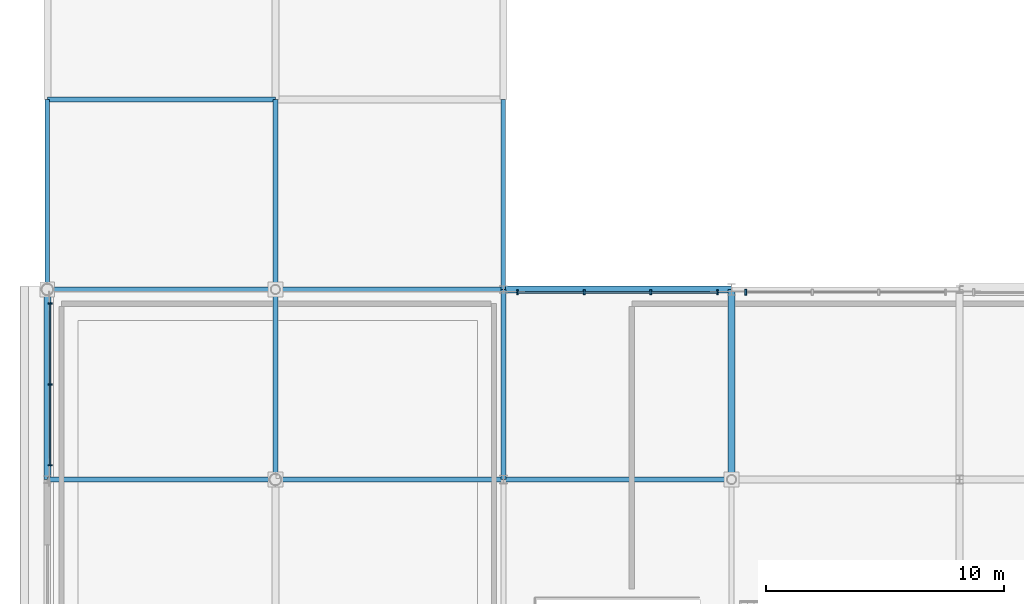
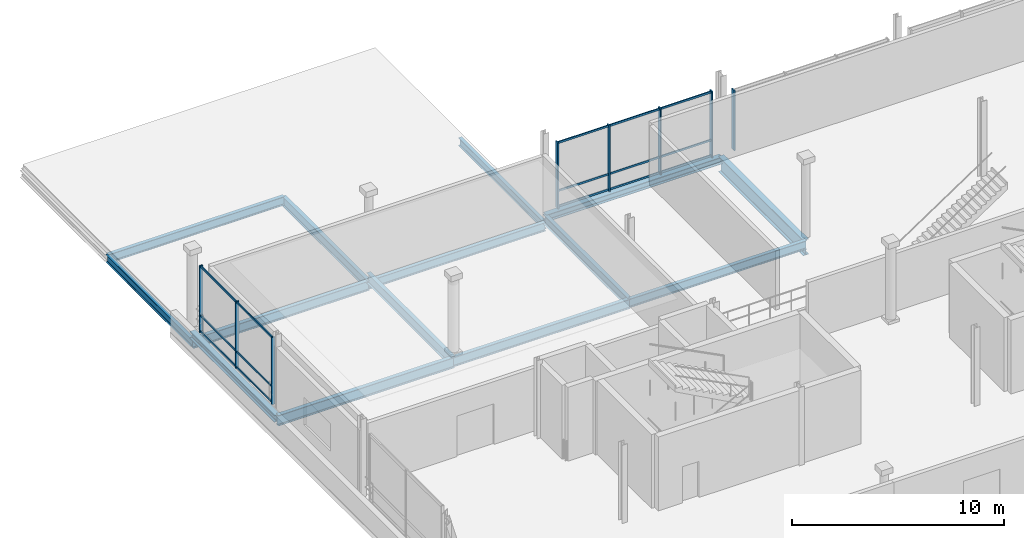
# One storey, part 11 of 36: 14 beams, 14 members, 3 elements without a shape of their own.
"""IFC4 building model written with IfcOpenShell, lengths in metres."""

import ifcopenshell
import ifcopenshell.guid

model = None  # the IFC model being written
_history = None  # IfcOwnerHistory: only IFC2X3 demands one
_inside = {}  # id of a spatial element -> (the spatial element, [elements in it])
_under = {}  # id of a project, library or spatial element -> (it, [spatial elements below it])
_declared = {}  # id of a project -> (the project, [libraries it declares])
_typed = {}  # id of a type object -> (the type object, [elements of that type])
_made_of = {}  # id of a material, layer set ... -> (it, [elements and type objects made of it])


def new_model(schema):
    """Start an empty IFC model of exactly this schema.

    Asked for "IFC4X3", IfcOpenShell would pick the latest addendum, in which some entities
    have other attributes; the version numbers below select the first issue.
    IFC2X3 requires an IfcOwnerHistory on every rooted entity: one is made here for all.
    """
    global model, _history
    if schema == "IFC4X3":
        model = ifcopenshell.file(schema_version=(4, 3, 0, 0))
    else:
        model = ifcopenshell.file(schema=schema)
    _inside.clear()
    _under.clear()
    _declared.clear()
    _typed.clear()
    _made_of.clear()
    _history = None
    if model.schema == "IFC2X3":
        org = make("IfcOrganization", Name="unknown")
        user = make(
            "IfcPersonAndOrganization",
            ThePerson=make("IfcPerson", FamilyName="unknown"),
            TheOrganization=org,
        )
        app = make(
            "IfcApplication",
            ApplicationDeveloper=org,
            Version="unknown",
            ApplicationFullName="unknown",
            ApplicationIdentifier="unknown",
        )
        _history = make(
            "IfcOwnerHistory",
            OwningUser=user,
            OwningApplication=app,
            ChangeAction="ADDED",
            CreationDate=0,
        )
    return model


def make(cls, **values):
    """One entity of the class cls with the attributes given. An attribute that is None is left unset."""
    return model.create_entity(
        cls, **{name: value for name, value in values.items() if value is not None}
    )


def rooted(cls, **values):
    """An entity with a GlobalId (a new one), such as an element, a storey or a relation."""
    return make(cls, GlobalId=ifcopenshell.guid.new(), OwnerHistory=_history, **values)


def si_unit(unit_type, name, prefix=None):
    """IfcSIUnit, for example si_unit("LENGTHUNIT", "METRE", prefix="MILLI")."""
    return make("IfcSIUnit", UnitType=unit_type, Prefix=prefix, Name=name)


def assignment(units):
    """IfcUnitAssignment: the units of a project."""
    return None if units is None else make("IfcUnitAssignment", Units=units)


def point(xyz):
    """IfcCartesianPoint."""
    return None if xyz is None else make("IfcCartesianPoint", Coordinates=xyz)


def direction(xyz):
    """IfcDirection."""
    return None if xyz is None else make("IfcDirection", DirectionRatios=xyz)


def frame(location, z_axis=None, x_axis=None):
    """IfcAxis2Placement3D, a coordinate frame: its origin and axes. An axis left out is left unset."""
    return make(
        "IfcAxis2Placement3D",
        Location=point(location),
        Axis=direction(z_axis),
        RefDirection=direction(x_axis),
    )


def frame_2d(location, x_axis=None):
    """IfcAxis2Placement2D, a coordinate frame in the plane: its origin and x axis."""
    return make(
        "IfcAxis2Placement2D", Location=point(location), RefDirection=direction(x_axis)
    )


def origin():
    """The frame at (0, 0, 0) with its axes left unset."""
    return frame((0.0, 0.0, 0.0))


def origin_2d():
    """The frame at (0, 0) in the plane with its x axis left unset."""
    return frame_2d((0.0, 0.0))


def place(relative_to, where):
    """IfcLocalPlacement: puts the frame where relative to a parent placement (None: the world)."""
    return make(
        "IfcLocalPlacement", PlacementRelTo=relative_to, RelativePlacement=where
    )


def context(
    kind, dimensions, precision=None, world=None, true_north=None, identifier=None
):
    """IfcGeometricRepresentationContext, for example the 3D "Model" context."""
    return make(
        "IfcGeometricRepresentationContext",
        ContextIdentifier=identifier,
        ContextType=kind,
        CoordinateSpaceDimension=dimensions,
        Precision=precision,
        WorldCoordinateSystem=world,
        TrueNorth=true_north,
    )


def subcontext(parent, identifier, kind, view, scale=None):
    """IfcGeometricRepresentationSubContext, for example "Body" below "Model"."""
    return make(
        "IfcGeometricRepresentationSubContext",
        ContextIdentifier=identifier,
        ContextType=kind,
        ParentContext=parent,
        TargetScale=scale,
        TargetView=view,
    )


def project(units=None, contexts=None):
    """IfcProject with its units and contexts."""
    return rooted(
        "IfcProject",
        Name="project",
        RepresentationContexts=contexts,
        UnitsInContext=assignment(units),
    )


def spatial(cls, under=None, at=None, **own):
    """A site, building, storey or space (cls), placed at a placement, below another one or the project."""
    s = rooted(cls, ObjectPlacement=at, **own)
    if under is not None:
        _under.setdefault(under.id(), (under, []))[1].append(s)
    return s


def profile(cls, at=None, kind="AREA", **sizes):
    """A parametric profile (cls). Its sizes go by their IFC names, for example OverallWidth=200.0."""
    return make(cls, ProfileType=kind, Position=at, **sizes)


def rectangle(**sizes):
    """IfcRectangleProfileDef."""
    return profile("IfcRectangleProfileDef", **sizes)


def i_section(**sizes):
    """IfcIShapeProfileDef."""
    return profile("IfcIShapeProfileDef", **sizes)


def extrude(swept, where, along, depth):
    """IfcExtrudedAreaSolid: the profile swept, set in the frame where, extruded along a direction by depth."""
    return make(
        "IfcExtrudedAreaSolid",
        SweptArea=swept,
        Position=where,
        ExtrudedDirection=direction(along),
        Depth=depth,
    )


def shape(context_of_items, identifier, shape_type, items):
    """IfcShapeRepresentation: the items that make up one representation, for example the "Body"."""
    return make(
        "IfcShapeRepresentation",
        ContextOfItems=context_of_items,
        RepresentationIdentifier=identifier,
        RepresentationType=shape_type,
        Items=items,
    )


def material(Name=None, Category=None):
    """IfcMaterial."""
    return make("IfcMaterial", Name=Name, Category=Category)


def material_profile(
    of_material, cross_section, Name=None, Category=None, Priority=None
):
    """IfcMaterialProfile: a cross section and its material."""
    return make(
        "IfcMaterialProfile",
        Name=Name,
        Material=of_material,
        Profile=cross_section,
        Priority=Priority,
        Category=Category,
    )


def profile_set(profiles, Name=None, composite=None):
    """IfcMaterialProfileSet."""
    return make(
        "IfcMaterialProfileSet",
        Name=Name,
        MaterialProfiles=profiles,
        CompositeProfile=composite,
    )


def made_of(thing, what):
    """Note that an element or type object is made of a material, layer set ...; save() writes the relation."""
    if what is not None:
        _made_of.setdefault(what.id(), (what, []))[1].append(thing)
    return thing


def type_object(cls, material=None, **own):
    """A type object (cls), such as IfcWallType, which elements share."""
    return made_of(rooted(cls, **own), material)


def element(
    cls,
    number,
    at=None,
    inside=None,
    cuts=None,
    type_object=None,
    material=None,
    context=None,
    identifier="Body",
    shape_type=None,
    held_by="IfcProductDefinitionShape",
    body=None,
    shapes=None,
    **own,
):
    """One element of the class cls, such as IfcWall. Its Tag is "e" and its number.

    at: its placement. inside: the storey or other place that contains it. cuts: it is an
    opening in that element (IfcRelVoidsElement). A single representation is given by context,
    identifier, shape_type and body (its items); several are given by shapes. held_by: the class
    of the entity that holds the representations. save() writes the other relations.
    """
    e = rooted(cls, Tag="e%d" % number, ObjectPlacement=at, **own)
    if body is not None:
        shapes = [shape(context, identifier, shape_type, body)]
    if shapes is not None:
        e.Representation = make(held_by, Representations=shapes)
    if inside is not None:
        _inside.setdefault(inside.id(), (inside, []))[1].append(e)
    if cuts is not None:
        rooted(
            "IfcRelVoidsElement", RelatingBuildingElement=cuts, RelatedOpeningElement=e
        )
    if type_object is not None:
        _typed.setdefault(type_object.id(), (type_object, []))[1].append(e)
    return made_of(e, material)


def aggregate(whole, parts):
    """IfcRelAggregates: a whole, such as a stair, and the parts it consists of."""
    return rooted("IfcRelAggregates", RelatingObject=whole, RelatedObjects=parts)


def save(model, path):
    """Write the relations noted so far, then the file.

    IfcRelAggregates (storeys below a building ...), IfcRelContainedInSpatialStructure (elements
    in a storey), IfcRelDefinesByType, IfcRelAssociatesMaterial and IfcRelDeclares: one each for
    every whole, place, type object, material and project.
    """
    for whole, parts in _under.values():
        aggregate(whole, parts)
    for where, things in _inside.values():
        rooted(
            "IfcRelContainedInSpatialStructure",
            RelatedElements=things,
            RelatingStructure=where,
        )
    for kind, things in _typed.values():
        rooted("IfcRelDefinesByType", RelatedObjects=things, RelatingType=kind)
    for what, things in _made_of.values():
        rooted("IfcRelAssociatesMaterial", RelatedObjects=things, RelatingMaterial=what)
    for by, libraries in _declared.values():
        rooted("IfcRelDeclares", RelatingContext=by, RelatedDefinitions=libraries)
    model.write(path)


model = new_model("IFC4")

# Units and contexts
model_context = context("Model", 3, precision=1e-05, world=origin(), true_north=direction((0.0, 1.0)))
body_context = subcontext(model_context, "Body", "Model", "MODEL_VIEW")
ifc_project = project(units=[si_unit("LENGTHUNIT", "METRE"), si_unit("AREAUNIT", "SQUARE_METRE"), si_unit("VOLUMEUNIT", "CUBIC_METRE"), si_unit("PLANEANGLEUNIT", "RADIAN"), si_unit("MASSUNIT", "GRAM", prefix="KILO")], contexts=[model_context])

# Site, building, storey
site_placement = place(None, origin())
site = spatial("IfcSite", under=ifc_project, at=site_placement, CompositionType="ELEMENT")
building_placement = place(site_placement, origin())
building = spatial("IfcBuilding", under=site, at=building_placement, Name="Danafjord Basin Convention Centre", CompositionType="ELEMENT")
storey_placement = place(building_placement, frame((0.0, 0.0, 20.39990234375)))
storey = spatial("IfcBuildingStorey", under=building, at=storey_placement, Name="L04", CompositionType="ELEMENT", Elevation=20.39990234375)

# Beams
ifc_material_1 = material(Name="Steel S355", Category="steel")
ifc_material_profile_1 = material_profile(ifc_material_1, i_section(OverallWidth=0.300048828125, OverallDepth=0.89990234375, WebThickness=0.0185546875, FlangeThickness=0.034912109375, FilletRadius=0.030029296875, at=origin_2d()), Name="HEB 900")
ifc_profile_set_1 = profile_set([ifc_material_profile_1], Name="Steel S355")
beam_type_1 = type_object("IfcBeamType", Name="BEAM-BM-HEB900", PredefinedType="BEAM", material=ifc_profile_set_1)
beam_1_placement = place(storey_placement, frame((28.800048828125, 32.0, -0.673828125), z_axis=(0.0, 1.0, 0.0), x_axis=(-1.0, 0.0, 0.0)))
element("IfcBeam", 1, at=beam_1_placement, inside=storey, type_object=beam_type_1, Name="L04 transverse girder BM-HEB900", PredefinedType="BEAM", context=body_context, shape_type="SweptSolid", body=[
    extrude(i_section(OverallWidth=0.300048828125, OverallDepth=0.89990234375, WebThickness=0.0185546875, FlangeThickness=0.034912109375, FilletRadius=0.030029296875, at=origin_2d()), origin(), (0.0, 0.0, 1.0), 8.0),
])
ifc_material_profile_2 = material_profile(ifc_material_1, i_section(OverallWidth=0.199951171875, OverallDepth=0.5, WebThickness=0.01025390625, FlangeThickness=0.01611328125, FilletRadius=0.02099609375, at=origin_2d()), Name="IPE 500")
ifc_profile_set_2 = profile_set([ifc_material_profile_2], Name="Steel S355")
beam_type_2 = type_object("IfcBeamType", Name="BEAM-BM-IPE500", PredefinedType="BEAM", material=ifc_profile_set_2)
beam_2_placement = place(storey_placement, frame((0.0, 48.0, -0.914794921875), z_axis=(1.0, 0.0, 0.0), x_axis=(0.0, 1.0, 0.0)))
element("IfcBeam", 2, at=beam_2_placement, inside=storey, type_object=beam_type_2, Name="L04 girder BM-IPE500", PredefinedType="BEAM", context=body_context, shape_type="SweptSolid", body=[
    extrude(i_section(OverallWidth=0.199951171875, OverallDepth=0.5, WebThickness=0.01025390625, FlangeThickness=0.01611328125, FilletRadius=0.02099609375, at=origin_2d()), origin(), (0.0, 0.0, 1.0), 9.60009765625),
])
beam_3_placement = place(storey_placement, frame((9.60009765625, 40.0, -0.914794921875), z_axis=(1.0, 0.0, 0.0), x_axis=(0.0, 1.0, 0.0)))
element("IfcBeam", 3, at=beam_3_placement, inside=storey, type_object=beam_type_2, Name="L04 girder BM-IPE500", PredefinedType="BEAM", context=body_context, shape_type="SweptSolid", body=[
    extrude(i_section(OverallWidth=0.199951171875, OverallDepth=0.5, WebThickness=0.01025390625, FlangeThickness=0.01611328125, FilletRadius=0.02099609375, at=origin_2d()), origin(), (0.0, 0.0, 1.0), 9.599853515625),
])
beam_4_placement = place(storey_placement, frame((19.199951171875, 32.0, -0.473876953125), z_axis=(1.0, 0.0, 0.0), x_axis=(0.0, 1.0, 0.0)))
element("IfcBeam", 4, at=beam_4_placement, inside=storey, type_object=beam_type_2, Name="L04 girder BM-IPE500", PredefinedType="BEAM", context=body_context, shape_type="SweptSolid", body=[
    extrude(i_section(OverallWidth=0.199951171875, OverallDepth=0.5, WebThickness=0.01025390625, FlangeThickness=0.01611328125, FilletRadius=0.02099609375, at=origin_2d()), origin(), (0.0, 0.0, 1.0), 9.60009765625),
])
ifc_material_profile_3 = material_profile(ifc_material_1, i_section(OverallWidth=0.2099609375, OverallDepth=0.550048828125, WebThickness=0.010986328125, FlangeThickness=0.01708984375, FilletRadius=0.02392578125, at=origin_2d()), Name="IPE 550")
ifc_profile_set_3 = profile_set([ifc_material_profile_3], Name="Steel S355")
beam_type_3 = type_object("IfcBeamType", Name="BEAM-BM-IPE550", PredefinedType="BEAM", material=ifc_profile_set_3)
beam_5_placement = place(storey_placement, frame((0.0, 40.0, -0.93994140625), z_axis=(1.0, 0.0, 0.0), x_axis=(0.0, 1.0, 0.0)))
element("IfcBeam", 5, at=beam_5_placement, inside=storey, type_object=beam_type_3, Name="L04 girder BM-IPE550", PredefinedType="BEAM", context=body_context, shape_type="SweptSolid", body=[
    extrude(i_section(OverallWidth=0.2099609375, OverallDepth=0.550048828125, WebThickness=0.010986328125, FlangeThickness=0.01708984375, FilletRadius=0.02392578125, at=origin_2d()), origin(), (0.0, 0.0, 1.0), 9.60009765625),
])
beam_6_placement = place(storey_placement, frame((9.60009765625, 32.0, -0.4990234375), z_axis=(1.0, 0.0, 0.0), x_axis=(0.0, 1.0, 0.0)))
element("IfcBeam", 6, at=beam_6_placement, inside=storey, type_object=beam_type_3, Name="L04 girder BM-IPE550", PredefinedType="BEAM", context=body_context, shape_type="SweptSolid", body=[
    extrude(i_section(OverallWidth=0.2099609375, OverallDepth=0.550048828125, WebThickness=0.010986328125, FlangeThickness=0.01708984375, FilletRadius=0.02392578125, at=origin_2d()), origin(), (0.0, 0.0, 1.0), 9.599853515625),
])
for number, where, z_axis, x_axis, name in (
    (7, (9.60009765625, 40.0, -0.93994140625), (0.0, 1.0, 0.0), (-1.0, 0.0, 0.0), "L04 transverse girder BM-IPE550"),
    (8, (19.199951171875, 32.0, -0.4990234375), (0.0, 1.0, 0.0), (-1.0, 0.0, 0.0), "L04 transverse girder BM-IPE550"),
):
    element("IfcBeam", number, at=place(storey_placement, frame(where, z_axis=z_axis, x_axis=x_axis)), inside=storey, type_object=beam_type_3, Name=name, PredefinedType="BEAM", context=body_context, shape_type="SweptSolid", body=[
        extrude(i_section(OverallWidth=0.2099609375, OverallDepth=0.550048828125, WebThickness=0.010986328125, FlangeThickness=0.01708984375, FilletRadius=0.02392578125, at=origin_2d()), origin(), (0.0, 0.0, 1.0), 8.0),
    ])
ifc_material_profile_4 = material_profile(ifc_material_1, i_section(OverallWidth=0.219970703125, OverallDepth=0.60009765625, WebThickness=0.011962890625, FlangeThickness=0.01904296875, FilletRadius=0.02392578125, at=origin_2d()), Name="IPE 600")
ifc_profile_set_4 = profile_set([ifc_material_profile_4], Name="Steel S355")
beam_type_4 = type_object("IfcBeamType", Name="BEAM-BM-IPE600", PredefinedType="BEAM", material=ifc_profile_set_4)
beam_7_placement = place(storey_placement, frame((0.0, 32.0, -0.52392578125), z_axis=(1.0, 0.0, 0.0), x_axis=(0.0, 1.0, 0.0)))
element("IfcBeam", 9, at=beam_7_placement, inside=storey, type_object=beam_type_4, Name="L04 girder BM-IPE600", PredefinedType="BEAM", context=body_context, shape_type="SweptSolid", body=[
    extrude(i_section(OverallWidth=0.219970703125, OverallDepth=0.60009765625, WebThickness=0.011962890625, FlangeThickness=0.01904296875, FilletRadius=0.02392578125, at=origin_2d()), origin(), (0.0, 0.0, 1.0), 9.60009765625),
])
beam_8_placement = place(storey_placement, frame((9.60009765625, 32.0, -0.52392578125), z_axis=(0.0, 1.0, 0.0), x_axis=(-1.0, 0.0, 0.0)))
element("IfcBeam", 10, at=beam_8_placement, inside=storey, type_object=beam_type_4, Name="L04 transverse girder BM-IPE600", PredefinedType="BEAM", context=body_context, shape_type="SweptSolid", body=[
    extrude(i_section(OverallWidth=0.219970703125, OverallDepth=0.60009765625, WebThickness=0.011962890625, FlangeThickness=0.01904296875, FilletRadius=0.02392578125, at=origin_2d()), origin(), (0.0, 0.0, 1.0), 8.0),
])
ifc_material_profile_5 = material_profile(ifc_material_1, i_section(OverallWidth=0.300048828125, OverallDepth=0.39990234375, WebThickness=0.013427734375, FlangeThickness=0.02392578125, FilletRadius=0.027099609375, at=origin_2d()), Name="HEB 400")
ifc_profile_set_5 = profile_set([ifc_material_profile_5], Name="Steel S355")
beam_type_5 = type_object("IfcBeamType", Name="BEAM-SP-HEB400", PredefinedType="SPANDREL", material=ifc_profile_set_5)
beam_9_placement = place(storey_placement, frame((19.199951171875, 40.0, -0.423828125), z_axis=(1.0, 0.0, 0.0), x_axis=(0.0, 1.0, 0.0)))
element("IfcBeam", 11, at=beam_9_placement, inside=storey, type_object=beam_type_5, Name="L04 girder SP-HEB400", PredefinedType="SPANDREL", context=body_context, shape_type="SweptSolid", body=[
    extrude(i_section(OverallWidth=0.300048828125, OverallDepth=0.39990234375, WebThickness=0.013427734375, FlangeThickness=0.02392578125, FilletRadius=0.027099609375, at=origin_2d()), origin(), (0.0, 0.0, 1.0), 9.60009765625),
])
beam_10_placement = place(storey_placement, frame((0.0, 32.0, -0.423828125), z_axis=(0.0, 1.0, 0.0), x_axis=(-1.0, 0.0, 0.0)))
element("IfcBeam", 12, at=beam_10_placement, inside=storey, type_object=beam_type_5, Name="L04 transverse girder SP-HEB400", PredefinedType="SPANDREL", context=body_context, shape_type="SweptSolid", body=[
    extrude(i_section(OverallWidth=0.300048828125, OverallDepth=0.39990234375, WebThickness=0.013427734375, FlangeThickness=0.02392578125, FilletRadius=0.027099609375, at=origin_2d()), origin(), (0.0, 0.0, 1.0), 8.0),
])
ifc_material_profile_6 = material_profile(ifc_material_1, i_section(OverallWidth=0.18994140625, OverallDepth=0.449951171875, WebThickness=0.009521484375, FlangeThickness=0.0146484375, FilletRadius=0.02099609375, at=origin_2d()), Name="IPE 450")
ifc_profile_set_6 = profile_set([ifc_material_profile_6], Name="Steel S355")
beam_type_6 = type_object("IfcBeamType", Name="BEAM-SP-IPE450", PredefinedType="SPANDREL", material=ifc_profile_set_6)
for number, where, z_axis, x_axis, name in (
    (13, (0.0, 40.0, -0.889892578125), (0.0, 1.0, 0.0), (-1.0, 0.0, 0.0), "L04 transverse girder SP-IPE450"),
    (14, (19.199951171875, 40.0, -0.889892578125), (0.0, 1.0, 0.0), (-1.0, 0.0, 0.0), "L04 transverse girder SP-IPE450"),
):
    element("IfcBeam", number, at=place(storey_placement, frame(where, z_axis=z_axis, x_axis=x_axis)), inside=storey, type_object=beam_type_6, Name=name, PredefinedType="SPANDREL", context=body_context, shape_type="SweptSolid", body=[
        extrude(i_section(OverallWidth=0.18994140625, OverallDepth=0.449951171875, WebThickness=0.009521484375, FlangeThickness=0.0146484375, FilletRadius=0.02099609375, at=origin_2d()), origin(), (0.0, 0.0, 1.0), 8.0),
    ])

# Curtain wall, members
ifc_material_2 = material(Name="Anodised aluminium and triple glazing", Category="aluminium")
curtain_wall_type = type_object("IfcCurtainWallType", Name="CW-CW-TERR", PredefinedType="NOTDEFINED", material=ifc_material_2)
curtain_wall_1_placement = place(storey_placement, origin())
curtain_wall_1 = element("IfcCurtainWall", 15, at=curtain_wall_1_placement, inside=storey, type_object=curtain_wall_type, Name="L04 CW-TERR unitised curtain wall bay 96", PredefinedType="NOTDEFINED")
ifc_material_3 = material(Name="Anodised aluminium EN AW-6060", Category="aluminium")
ifc_material_profile_7 = material_profile(ifc_material_3, rectangle(XDim=0.06005859375, YDim=0.179931640625, at=origin_2d()), Name="MULL 60x180")
ifc_profile_set_7 = profile_set([ifc_material_profile_7], Name="Anodised aluminium EN AW-6060")
member_type_1 = type_object("IfcMemberType", Name="MEM-ML-180", PredefinedType="MULLION", material=ifc_profile_set_7)
member_1_placement = place(storey_placement, frame((0.1201171875, 39.39990234375, -0.02490234375), z_axis=(0.0, 0.0, 1.0), x_axis=(0.0, -1.0, 0.0)))
member_1 = element("IfcMember", 16, at=member_1_placement, type_object=member_type_1, Name="CW-L04-096 mullion 1", PredefinedType="MULLION", context=body_context, shape_type="SweptSolid", body=[
    extrude(rectangle(XDim=0.06005859375, YDim=0.179931640625, at=origin_2d()), origin(), (0.0, 0.0, 1.0), 3.875),
])
member_2_placement = place(storey_placement, frame((0.1201171875, 36.0, -0.02490234375), z_axis=(0.0, 0.0, 1.0), x_axis=(0.0, -1.0, 0.0)))
member_2 = element("IfcMember", 17, at=member_2_placement, type_object=member_type_1, Name="CW-L04-096 mullion 2", PredefinedType="MULLION", context=body_context, shape_type="SweptSolid", body=[
    extrude(rectangle(XDim=0.06005859375, YDim=0.179931640625, at=origin_2d()), origin(), (0.0, 0.0, 1.0), 3.875),
])
member_3_placement = place(storey_placement, frame((0.1201171875, 32.60009765625, -0.02490234375), z_axis=(0.0, 0.0, 1.0), x_axis=(0.0, -1.0, 0.0)))
member_3 = element("IfcMember", 18, at=member_3_placement, type_object=member_type_1, Name="CW-L04-096 mullion 3", PredefinedType="MULLION", context=body_context, shape_type="SweptSolid", body=[
    extrude(rectangle(XDim=0.06005859375, YDim=0.179931640625, at=origin_2d()), origin(), (0.0, 0.0, 1.0), 3.875),
])

curtain_wall_2_placement = place(storey_placement, origin())
curtain_wall_2 = element("IfcCurtainWall", 19, at=curtain_wall_2_placement, inside=storey, type_object=curtain_wall_type, Name="L04 CW-TERR unitised curtain wall bay 87", PredefinedType="NOTDEFINED")
ifc_material_profile_8 = material_profile(ifc_material_3, rectangle(XDim=0.06494140625, YDim=0.219970703125, at=origin_2d()), Name="MULL 65x220")
ifc_profile_set_8 = profile_set([ifc_material_profile_8], Name="Anodised aluminium EN AW-6060")
member_type_2 = type_object("IfcMemberType", Name="MEM-ML-220", PredefinedType="MULLION", material=ifc_profile_set_8)
member_4_placement = place(storey_placement, frame((28.199951171875, 39.8798828125, -0.02490234375), z_axis=(0.0, 0.0, 1.0), x_axis=(-1.0, 0.0, 0.0)))
member_4 = element("IfcMember", 20, at=member_4_placement, type_object=member_type_2, Name="CW-L04-087 mullion 1", PredefinedType="MULLION", context=body_context, shape_type="SweptSolid", body=[
    extrude(rectangle(XDim=0.06494140625, YDim=0.219970703125, at=origin_2d()), origin(), (0.0, 0.0, 1.0), 3.81494140625),
])
member_5_placement = place(storey_placement, frame((25.39990234375, 39.8798828125, -0.02490234375), z_axis=(0.0, 0.0, 1.0), x_axis=(-1.0, 0.0, 0.0)))
member_5 = element("IfcMember", 21, at=member_5_placement, type_object=member_type_2, Name="CW-L04-087 mullion 2", PredefinedType="MULLION", context=body_context, shape_type="SweptSolid", body=[
    extrude(rectangle(XDim=0.06494140625, YDim=0.219970703125, at=origin_2d()), origin(), (0.0, 0.0, 1.0), 3.81494140625),
])
member_6_placement = place(storey_placement, frame((22.60009765625, 39.8798828125, -0.02490234375), z_axis=(0.0, 0.0, 1.0), x_axis=(-1.0, 0.0, 0.0)))
member_6 = element("IfcMember", 22, at=member_6_placement, type_object=member_type_2, Name="CW-L04-087 mullion 3", PredefinedType="MULLION", context=body_context, shape_type="SweptSolid", body=[
    extrude(rectangle(XDim=0.06494140625, YDim=0.219970703125, at=origin_2d()), origin(), (0.0, 0.0, 1.0), 3.81494140625),
])
member_7_placement = place(storey_placement, frame((19.800048828125, 39.8798828125, -0.02490234375), z_axis=(0.0, 0.0, 1.0), x_axis=(-1.0, 0.0, 0.0)))
member_7 = element("IfcMember", 23, at=member_7_placement, type_object=member_type_2, Name="CW-L04-087 mullion 4", PredefinedType="MULLION", context=body_context, shape_type="SweptSolid", body=[
    extrude(rectangle(XDim=0.06494140625, YDim=0.219970703125, at=origin_2d()), origin(), (0.0, 0.0, 1.0), 3.81494140625),
])

# Curtain wall, member
curtain_wall_3_placement = place(storey_placement, origin())
curtain_wall_3 = element("IfcCurtainWall", 24, at=curtain_wall_3_placement, inside=storey, type_object=curtain_wall_type, Name="L04 CW-TERR unitised curtain wall bay 88", PredefinedType="NOTDEFINED")
ifc_material_profile_9 = material_profile(ifc_material_3, rectangle(XDim=0.070068359375, YDim=0.260009765625, at=origin_2d()), Name="MULL 70x260")
ifc_profile_set_9 = profile_set([ifc_material_profile_9], Name="Anodised aluminium EN AW-6060")
member_type_3 = type_object("IfcMemberType", Name="MEM-ML-260", PredefinedType="MULLION", material=ifc_profile_set_9)
member_8_placement = place(storey_placement, frame((29.39990234375, 39.8798828125, -0.02490234375), z_axis=(0.0, 0.0, 1.0), x_axis=(-1.0, 0.0, 0.0)))
member_8 = element("IfcMember", 25, at=member_8_placement, type_object=member_type_3, Name="CW-L04-088 mullion 4", PredefinedType="MULLION", context=body_context, shape_type="SweptSolid", body=[
    extrude(rectangle(XDim=0.070068359375, YDim=0.260009765625, at=origin_2d()), origin(), (0.0, 0.0, 1.0), 3.465087890625),
])
aggregate(curtain_wall_3, [member_8])

# Member
ifc_material_profile_10 = material_profile(ifc_material_3, rectangle(XDim=0.06005859375, YDim=0.110107421875, at=origin_2d()), Name="TRAN 60x110")
ifc_profile_set_10 = profile_set([ifc_material_profile_10], Name="Anodised aluminium EN AW-6060")
member_type_4 = type_object("IfcMemberType", Name="MEM-TR-110", PredefinedType="USERDEFINED", material=ifc_profile_set_10)
member_9_placement = place(storey_placement, frame((28.199951171875, 39.8798828125, 0.06005859375), z_axis=(-1.0, 0.0, 0.0), x_axis=(0.0, -1.0, 0.0)))
member_9 = element("IfcMember", 26, at=member_9_placement, type_object=member_type_4, Name="CW-L04-087 transom 1", ObjectType="TRANSOM", PredefinedType="USERDEFINED", context=body_context, shape_type="SweptSolid", body=[
    extrude(rectangle(XDim=0.06005859375, YDim=0.110107421875, at=origin_2d()), origin(), (0.0, 0.0, 1.0), 8.39990234375),
])

member_10_placement = place(storey_placement, frame((28.199951171875, 39.8798828125, 0.9501953125), z_axis=(-1.0, 0.0, 0.0), x_axis=(0.0, -1.0, 0.0)))
member_10 = element("IfcMember", 27, at=member_10_placement, type_object=member_type_4, Name="CW-L04-087 transom 2", ObjectType="TRANSOM", PredefinedType="USERDEFINED", context=body_context, shape_type="SweptSolid", body=[
    extrude(rectangle(XDim=0.06005859375, YDim=0.110107421875, at=origin_2d()), origin(), (0.0, 0.0, 1.0), 8.39990234375),
])

member_11_placement = place(storey_placement, frame((28.199951171875, 39.8798828125, 3.72021484375), z_axis=(-1.0, 0.0, 0.0), x_axis=(0.0, -1.0, 0.0)))
member_11 = element("IfcMember", 28, at=member_11_placement, type_object=member_type_4, Name="CW-L04-087 transom 3", ObjectType="TRANSOM", PredefinedType="USERDEFINED", context=body_context, shape_type="SweptSolid", body=[
    extrude(rectangle(XDim=0.06005859375, YDim=0.110107421875, at=origin_2d()), origin(), (0.0, 0.0, 1.0), 8.39990234375),
])

aggregate(curtain_wall_2, [member_4, member_5, member_6, member_7, member_9, member_10, member_11])

member_12_placement = place(storey_placement, frame((0.1201171875, 39.39990234375, 0.06005859375), z_axis=(0.0, -1.0, 0.0), x_axis=(1.0, 0.0, 0.0)))
member_12 = element("IfcMember", 29, at=member_12_placement, type_object=member_type_4, Name="CW-L04-096 transom 1", ObjectType="TRANSOM", PredefinedType="USERDEFINED", context=body_context, shape_type="SweptSolid", body=[
    extrude(rectangle(XDim=0.06005859375, YDim=0.110107421875, at=origin_2d()), origin(), (0.0, 0.0, 1.0), 6.7998046875),
])

member_13_placement = place(storey_placement, frame((0.1201171875, 39.39990234375, 0.9501953125), z_axis=(0.0, -1.0, 0.0), x_axis=(1.0, 0.0, 0.0)))
member_13 = element("IfcMember", 30, at=member_13_placement, type_object=member_type_4, Name="CW-L04-096 transom 2", ObjectType="TRANSOM", PredefinedType="USERDEFINED", context=body_context, shape_type="SweptSolid", body=[
    extrude(rectangle(XDim=0.06005859375, YDim=0.110107421875, at=origin_2d()), origin(), (0.0, 0.0, 1.0), 6.7998046875),
])

member_14_placement = place(storey_placement, frame((0.1201171875, 39.39990234375, 3.780029296875), z_axis=(0.0, -1.0, 0.0), x_axis=(1.0, 0.0, 0.0)))
member_14 = element("IfcMember", 31, at=member_14_placement, type_object=member_type_4, Name="CW-L04-096 transom 3", ObjectType="TRANSOM", PredefinedType="USERDEFINED", context=body_context, shape_type="SweptSolid", body=[
    extrude(rectangle(XDim=0.06005859375, YDim=0.110107421875, at=origin_2d()), origin(), (0.0, 0.0, 1.0), 6.7998046875),
])

aggregate(curtain_wall_1, [member_1, member_2, member_3, member_12, member_13, member_14])

save(model, "model.ifc")
